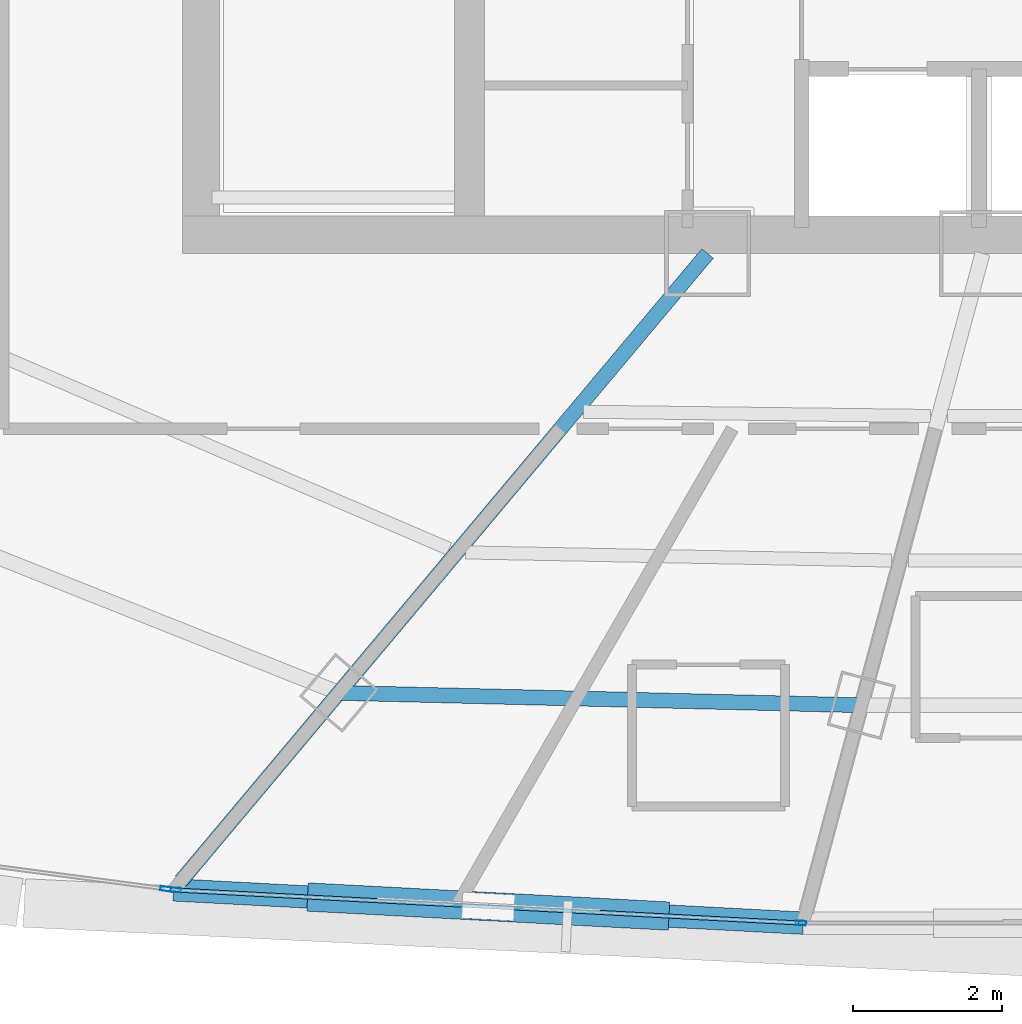
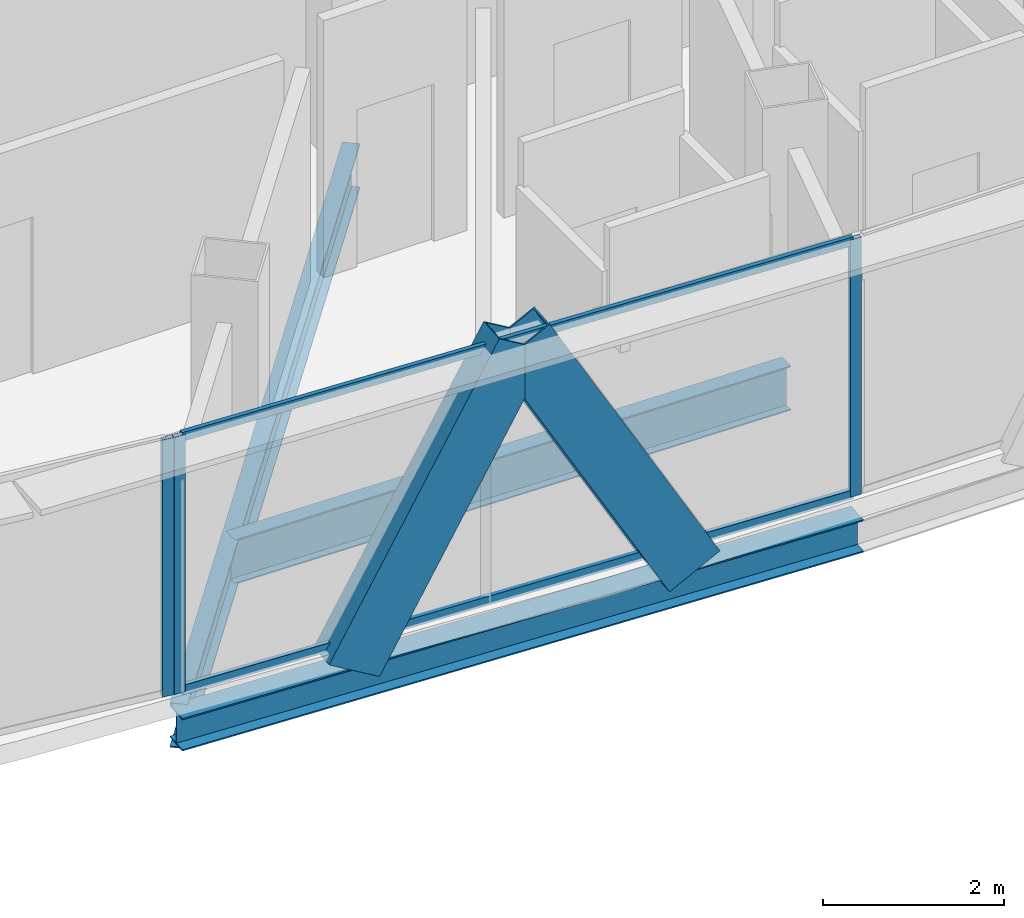
# One storey, part 6 of 37: 7 members, 3 beams, 2 elements without a shape of their own.
"""IFC4 building model written with IfcOpenShell, lengths in metres."""

from ifc_helpers import new_model, si_unit, direction, frame, origin, origin_2d, place, context, subcontext, project, spatial, hollow_rectangle, i_section, extrude, source, transform, mapped, material, layer, layer_set, material_profile, profile_set, type_object, element, aggregate, save


model = new_model("IFC4")

# Units and contexts
model_context = context("Model", 3, precision=1e-05, world=origin(), true_north=direction((0.0, 1.0)))
body_context = subcontext(model_context, "Body", "Model", "MODEL_VIEW")
ifc_project = project(units=[si_unit("LENGTHUNIT", "METRE"), si_unit("AREAUNIT", "SQUARE_METRE"), si_unit("VOLUMEUNIT", "CUBIC_METRE"), si_unit("PLANEANGLEUNIT", "RADIAN"), si_unit("MASSUNIT", "GRAM", prefix="KILO"), si_unit("THERMODYNAMICTEMPERATUREUNIT", "KELVIN"), si_unit("POWERUNIT", "WATT")], contexts=[model_context])

# Site, building, storey
site_placement = place(None, origin())
site = spatial("IfcSite", under=ifc_project, at=site_placement, CompositionType="ELEMENT")
building_placement = place(site_placement, origin())
building = spatial("IfcBuilding", under=site, at=building_placement, Name="Yunzhuo Pagoda Commons", CompositionType="ELEMENT")
storey_placement = place(building_placement, frame((0.0, 0.0, 277.56005859375)))
storey = spatial("IfcBuildingStorey", under=building, at=storey_placement, Name="L69", CompositionType="ELEMENT", Elevation=277.56005859375)

# Beams
ifc_material_1 = material(Name="Structural steel Q355B", Category="steel")
ifc_material_profile_1 = material_profile(ifc_material_1, i_section(OverallWidth=0.300048828125, OverallDepth=0.43994140625, WebThickness=0.010986328125, FlangeThickness=0.01806640625, at=origin_2d()), Name="Structural steel Q355B")
ifc_profile_set_1 = profile_set([ifc_material_profile_1], Name="Structural steel Q355B")
beam_type_1 = type_object("IfcBeamType", Name="B-SP2 Beam HM 440x300x11x18", PredefinedType="BEAM", material=ifc_profile_set_1)
shared_shape_1 = source(origin(), body_context, "Body", "SweptSolid", [
    extrude(i_section(OverallWidth=0.300048828125, OverallDepth=0.43994140625, WebThickness=0.010986328125, FlangeThickness=0.01806640625, at=origin_2d()), origin(), (0.0, 0.0, 1.0), 8.447021484375),
])
beam_1_placement = place(storey_placement, frame((35.431640625, 18.72119140625, -0.47998046875), z_axis=(0.99860638853, -0.05277575947, 0.0), x_axis=(0.05277575947, 0.99860638853, 0.0)))
element("IfcBeam", 1, at=beam_1_placement, inside=storey, type_object=beam_type_1, Name="L69 facade edge spandrel beam F1.1", PredefinedType="BEAM", context=body_context, shape_type="MappedRepresentation", body=[
    mapped(shared_shape_1, transform((0.0, 0.0, 0.0), scale=1.0)),
])
ifc_material_profile_2 = material_profile(ifc_material_1, i_section(OverallWidth=0.199951171875, OverallDepth=0.60009765625, WebThickness=0.010986328125, FlangeThickness=0.01708984375, at=origin_2d()), Name="Structural steel Q355B")
ifc_profile_set_2 = profile_set([ifc_material_profile_2], Name="Structural steel Q355B")
beam_type_2 = type_object("IfcBeamType", Name="B-RG3 Beam HN 600x200x11x17", PredefinedType="BEAM", material=ifc_profile_set_2)
shared_shape_2 = source(origin(), body_context, "Body", "SweptSolid", [
    extrude(i_section(OverallWidth=0.199951171875, OverallDepth=0.60009765625, WebThickness=0.010986328125, FlangeThickness=0.01708984375, at=origin_2d()), origin(), (0.0, 0.0, 1.0), 10.978515625),
])
beam_2_placement = place(storey_placement, frame((35.531005859375, 18.840087890625, -0.56005859375), z_axis=(0.642794591419, 0.766038584695, 0.0), x_axis=(-0.766038584695, 0.642794591419, 0.0)))
element("IfcBeam", 2, at=beam_2_placement, inside=storey, type_object=beam_type_2, Name="L69 radial floor girder F1C1", PredefinedType="BEAM", context=body_context, shape_type="MappedRepresentation", body=[
    mapped(shared_shape_2, transform((0.0, 0.0, 0.0), scale=1.0)),
])
shared_shape_3 = source(origin(), body_context, "Body", "SweptSolid", [
    extrude(i_section(OverallWidth=0.199951171875, OverallDepth=0.60009765625, WebThickness=0.010986328125, FlangeThickness=0.01708984375, at=origin_2d()), origin(), (0.0, 0.0, 1.0), 7.00439453125),
])
beam_3_placement = place(storey_placement, frame((37.64697265625, 21.361572265625, -0.56005859375), z_axis=(0.999719077883, -0.023701588905, 0.0), x_axis=(0.023701588905, 0.999719077883, 0.0)))
element("IfcBeam", 3, at=beam_3_placement, inside=storey, type_object=beam_type_2, Name="L69 column-ring beam 1", PredefinedType="BEAM", context=body_context, shape_type="MappedRepresentation", body=[
    mapped(shared_shape_3, transform((0.0, 0.0, 0.0), scale=1.0)),
])

# Members
ifc_material_profile_3 = material_profile(ifc_material_1, hollow_rectangle(XDim=0.3798828125, YDim=0.719970703125, WallThickness=0.02001953125, at=origin_2d()), Name="Structural steel Q355B")
ifc_profile_set_3 = profile_set([ifc_material_profile_3], Name="Structural steel Q355B")
member_type_1 = type_object("IfcMemberType", Name="M-DL3 Brace BOX 720x380x20", PredefinedType="BRACE", material=ifc_profile_set_3)
shared_shape_4 = source(origin(), body_context, "Body", "SweptSolid", [
    extrude(hollow_rectangle(XDim=0.3798828125, YDim=0.719970703125, WallThickness=0.02001953125, at=origin_2d()), origin(), (0.0, 0.0, 1.0), 4.286376953125),
])
for number, where, z_axis, x_axis, name in (
    (4, (37.540283203125, 18.609619140625, -0.260009765625), (0.492003866462, -0.025972882971, 0.870205495694), (0.052716593913, 0.998609513637, 0.0), "L69 facade diamond brace F1.1L"),
    (5, (41.758056640625, 18.38671875, -0.260009765625), (-0.492003137812, 0.026029802498, 0.870204206934), (-0.052831878149, -0.998603421109, 0.0), "L69 facade diamond brace F1.1R"),
):
    element("IfcMember", number, at=place(storey_placement, frame(where, z_axis=z_axis, x_axis=x_axis)), inside=storey, type_object=member_type_1, Name=name, PredefinedType="BRACE", context=body_context, shape_type="MappedRepresentation", body=[
        mapped(shared_shape_4, transform((0.0, 0.0, 0.0), scale=1.0)),
    ])

# Curtain wall, members
ifc_material_2 = material(Name="Anodized aluminium 6063-T6", Category="aluminium")
ifc_layer = layer(ifc_material_2, 0.139892578125)
ifc_layer_set = layer_set([ifc_layer], Name="Anodized aluminium 6063-T6")
curtain_wall_type = type_object("IfcCurtainWallType", Name="CW-HI High-Zone Ribbon Curtain Wall", PredefinedType="NOTDEFINED", material=ifc_layer_set)
curtain_wall_1_placement = place(storey_placement, origin())
curtain_wall_1 = element("IfcCurtainWall", 6, at=curtain_wall_1_placement, inside=storey, type_object=curtain_wall_type, Name="L69 curtain wall CW-L69-F1B2", PredefinedType="NOTDEFINED")
ifc_material_profile_4 = material_profile(ifc_material_2, hollow_rectangle(XDim=0.06005859375, YDim=0.139892578125, WallThickness=0.00341796875, at=origin_2d()), Name="Anodized aluminium 6063-T6")
ifc_profile_set_4 = profile_set([ifc_material_profile_4], Name="Anodized aluminium 6063-T6")
member_type_2 = type_object("IfcMemberType", Name="CW-HI-M Mullion RHS 140x60x3.5", PredefinedType="MULLION", material=ifc_profile_set_4)
shared_shape_5 = source(origin(), body_context, "Body", "SweptSolid", [
    extrude(hollow_rectangle(XDim=0.06005859375, YDim=0.139892578125, WallThickness=0.00341796875, at=origin_2d()), origin(), (0.0, 0.0, 1.0), 3.469970703125),
])
member_1_placement = place(storey_placement, frame((35.46142578125, 18.7197265625, 0.0), z_axis=(0.0, 0.0, 1.0), x_axis=(0.052821657014, 0.998603961814, 0.0)))
member_1 = element("IfcMember", 7, at=member_1_placement, type_object=member_type_2, Name="CW mullion 1", PredefinedType="MULLION", context=body_context, shape_type="MappedRepresentation", body=[
    mapped(shared_shape_5, transform((0.0, 0.0, 0.0), scale=1.0)),
])
member_2_placement = place(storey_placement, frame((43.8369140625, 18.276611328125, 0.0), z_axis=(0.0, 0.0, 1.0), x_axis=(0.052821657014, 0.998603961814, 0.0)))
member_2 = element("IfcMember", 8, at=member_2_placement, type_object=member_type_2, Name="CW mullion 2", PredefinedType="MULLION", context=body_context, shape_type="MappedRepresentation", body=[
    mapped(shared_shape_5, transform((0.0, 0.0, 0.0), scale=1.0)),
])

# Curtain wall, member
curtain_wall_2_placement = place(storey_placement, origin())
curtain_wall_2 = element("IfcCurtainWall", 9, at=curtain_wall_2_placement, inside=storey, type_object=curtain_wall_type, Name="L69 curtain wall CW-L69-F1B1", PredefinedType="NOTDEFINED")
member_3_placement = place(storey_placement, frame((35.3271484375, 18.735107421875, 0.0), z_axis=(0.0, 0.0, 1.0), x_axis=(0.131311416098, 0.991341168318, 0.0)))
member_3 = element("IfcMember", 10, at=member_3_placement, type_object=member_type_2, Name="CW mullion 2", PredefinedType="MULLION", context=body_context, shape_type="MappedRepresentation", body=[
    mapped(shared_shape_5, transform((0.0, 0.0, 0.0), scale=1.0)),
])
aggregate(curtain_wall_2, [member_3])

# Member
ifc_material_profile_5 = material_profile(ifc_material_2, hollow_rectangle(XDim=0.054931640625, YDim=0.1201171875, WallThickness=0.00341796875, at=origin_2d()), Name="Anodized aluminium 6063-T6")
ifc_profile_set_5 = profile_set([ifc_material_profile_5], Name="Anodized aluminium 6063-T6")
member_type_3 = type_object("IfcMemberType", Name="CW-HI-T Transom RHS 120x55x3.5", PredefinedType="USERDEFINED", material=ifc_profile_set_5)
shared_shape_6 = source(origin(), body_context, "Body", "SweptSolid", [
    extrude(hollow_rectangle(XDim=0.054931640625, YDim=0.1201171875, WallThickness=0.00341796875, at=origin_2d()), origin(), (0.0, 0.0, 1.0), 8.327392578125),
])
member_4_placement = place(storey_placement, frame((35.4912109375, 18.718017578125, 0.02734375), z_axis=(0.998605003422, -0.052801961515, 0.0), x_axis=(0.052801961515, 0.998605003422, 0.0)))
member_4 = element("IfcMember", 11, at=member_4_placement, type_object=member_type_3, Name="CW transom 1.1", ObjectType="TRANSOM", PredefinedType="USERDEFINED", context=body_context, shape_type="MappedRepresentation", body=[
    mapped(shared_shape_6, transform((0.0, 0.0, 0.0), scale=1.0)),
])

member_5_placement = place(storey_placement, frame((35.4912109375, 18.718017578125, 3.4423828125), z_axis=(0.998605003422, -0.052801961515, 0.0), x_axis=(0.052801961515, 0.998605003422, 0.0)))
member_5 = element("IfcMember", 12, at=member_5_placement, type_object=member_type_3, Name="CW transom 1.2", ObjectType="TRANSOM", PredefinedType="USERDEFINED", context=body_context, shape_type="MappedRepresentation", body=[
    mapped(shared_shape_6, transform((0.0, 0.0, 0.0), scale=1.0)),
])

aggregate(curtain_wall_1, [member_1, member_2, member_4, member_5])

save(model, "model.ifc")
